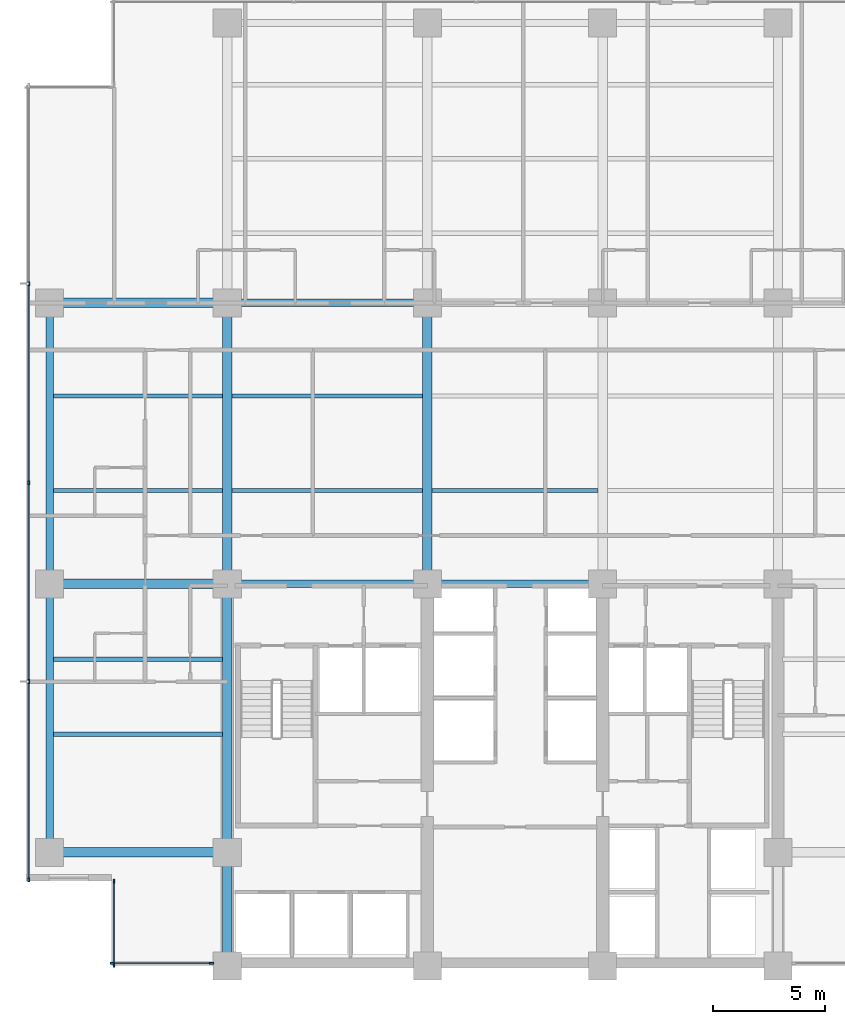
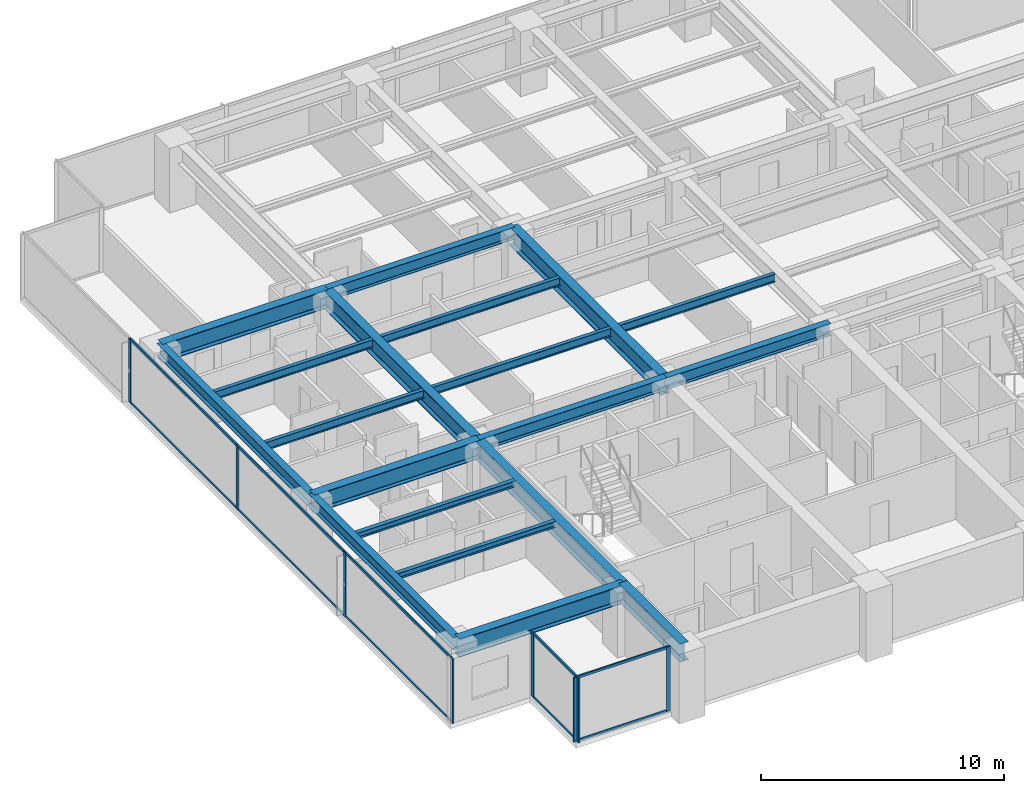
# One storey, part 2 of 17: 19 beams, 18 members, 3 elements without a shape of their own.
"""IFC4 building model written with IfcOpenShell, lengths in metres."""

from ifc_helpers import new_model, si_unit, direction, frame, origin, origin_2d, place, context, subcontext, project, spatial, rectangle, i_section, extrude, material, layer, layer_set, material_profile, profile_set, type_object, element, aggregate, save


model = new_model("IFC4")

# Units and contexts
model_context = context("Model", 3, precision=1e-05, world=origin(), true_north=direction((0.0, 1.0)))
body_context = subcontext(model_context, "Body", "Model", "MODEL_VIEW")
ifc_project = project(units=[si_unit("LENGTHUNIT", "METRE"), si_unit("AREAUNIT", "SQUARE_METRE"), si_unit("VOLUMEUNIT", "CUBIC_METRE"), si_unit("PLANEANGLEUNIT", "RADIAN"), si_unit("MASSUNIT", "GRAM", prefix="KILO")], contexts=[model_context])

# Site, building, storey
site_placement = place(None, origin())
site = spatial("IfcSite", under=ifc_project, at=site_placement, CompositionType="ELEMENT")
building_placement = place(site_placement, origin())
building = spatial("IfcBuilding", under=site, at=building_placement, Name="Qalmaran Belvedere Hotel", CompositionType="ELEMENT")
storey_placement = place(building_placement, frame((0.0, 0.0, 102.199951171875)))
storey = spatial("IfcBuildingStorey", under=building, at=storey_placement, Name="L25", CompositionType="ELEMENT", Elevation=102.199951171875)

# Beams
ifc_material_1 = material(Name="Steel S355JR", Category="steel")
ifc_material_profile_1 = material_profile(ifc_material_1, i_section(OverallWidth=0.202880859375, OverallDepth=0.302978515625, WebThickness=0.007568359375, FlangeThickness=0.01318359375, FilletRadius=0.012939453125, at=origin_2d()), Name="W310X60")
ifc_profile_set_1 = profile_set([ifc_material_profile_1], Name="Steel S355JR")
beam_type_1 = type_object("IfcBeamType", Name="BM-JST-W310X60", PredefinedType="JOIST", material=ifc_profile_set_1)
for number, where, z_axis, x_axis, name in (
    (1, (12.5615234375, 13.800048828125, 3.088623046875), (1.0, 0.0, 0.0), (0.0, 1.0, 0.0), "L25 West Wing Joist 038"),
    (2, (12.5615234375, 17.14990234375, 3.088623046875), (1.0, 0.0, 0.0), (0.0, 1.0, 0.0), "L25 West Wing Joist 040"),
):
    element("IfcBeam", number, at=place(storey_placement, frame(where, z_axis=z_axis, x_axis=x_axis)), inside=storey, type_object=beam_type_1, Name=name, PredefinedType="JOIST", context=body_context, shape_type="SweptSolid", body=[
        extrude(i_section(OverallWidth=0.202880859375, OverallDepth=0.302978515625, WebThickness=0.007568359375, FlangeThickness=0.01318359375, FilletRadius=0.012939453125, at=origin_2d()), origin(), (0.0, 0.0, 1.0), 7.531494140625),
    ])
ifc_material_profile_2 = material_profile(ifc_material_1, i_section(OverallWidth=0.41796875, OverallDepth=0.912109375, WebThickness=0.019287109375, FlangeThickness=0.031982421875, FilletRadius=0.02392578125, at=origin_2d()), Name="W920X342")
ifc_profile_set_2 = profile_set([ifc_material_profile_2], Name="Steel S355JR")
beam_type_2 = type_object("IfcBeamType", Name="BM-PG2-W920X342", PredefinedType="USERDEFINED", material=ifc_profile_set_2)
for number, where, z_axis, x_axis, name in (
    (3, (20.300048828125, 20.5, 2.783935546875), (0.0, 1.0, 0.0), (-1.0, 0.0, 0.0), "L25 Mid-Plate N-S Girder 14"),
    (4, (29.199951171875, 20.5, 2.783935546875), (0.0, 1.0, 0.0), (-1.0, 0.0, 0.0), "L25 Mid-Plate N-S Girder 16"),
):
    element("IfcBeam", number, at=place(storey_placement, frame(where, z_axis=z_axis, x_axis=x_axis)), inside=storey, type_object=beam_type_2, Name=name, ObjectType="GIRDER", PredefinedType="USERDEFINED", context=body_context, shape_type="SweptSolid", body=[
        extrude(i_section(OverallWidth=0.41796875, OverallDepth=0.912109375, WebThickness=0.019287109375, FlangeThickness=0.031982421875, FilletRadius=0.02392578125, at=origin_2d()), origin(), (0.0, 0.0, 1.0), 12.5),
    ])
for number, where, z_axis, x_axis, name in (
    (5, (12.39990234375, 8.550048828125, 2.783935546875), (1.0, 0.0, 0.0), (0.0, 1.0, 0.0), "L25 West Wing Girder 22"),
    (6, (12.39990234375, 20.5, 2.783935546875), (1.0, 0.0, 0.0), (0.0, 1.0, 0.0), "L25 West Wing Girder 23"),
    (7, (12.39990234375, 33.0, 2.783935546875), (1.0, 0.0, 0.0), (0.0, 1.0, 0.0), "L25 West Wing Girder 24"),
):
    element("IfcBeam", number, at=place(storey_placement, frame(where, z_axis=z_axis, x_axis=x_axis)), inside=storey, type_object=beam_type_2, Name=name, ObjectType="GIRDER", PredefinedType="USERDEFINED", context=body_context, shape_type="SweptSolid", body=[
        extrude(i_section(OverallWidth=0.41796875, OverallDepth=0.912109375, WebThickness=0.019287109375, FlangeThickness=0.031982421875, FilletRadius=0.02392578125, at=origin_2d()), origin(), (0.0, 0.0, 1.0), 7.900146484375),
    ])
beam_1_placement = place(storey_placement, frame((20.300048828125, 3.5, 2.783935546875), z_axis=(0.0, 1.0, 0.0), x_axis=(-1.0, 0.0, 0.0)))
element("IfcBeam", 8, at=beam_1_placement, inside=storey, type_object=beam_type_2, Name="L25 West Core Edge Girder A", ObjectType="GIRDER", PredefinedType="USERDEFINED", context=body_context, shape_type="SweptSolid", body=[
    extrude(i_section(OverallWidth=0.41796875, OverallDepth=0.912109375, WebThickness=0.019287109375, FlangeThickness=0.031982421875, FilletRadius=0.02392578125, at=origin_2d()), origin(), (0.0, 0.0, 1.0), 5.050048828125),
])
beam_2_placement = place(storey_placement, frame((20.300048828125, 8.550048828125, 2.783935546875), z_axis=(0.0, 1.0, 0.0), x_axis=(-1.0, 0.0, 0.0)))
element("IfcBeam", 9, at=beam_2_placement, inside=storey, type_object=beam_type_2, Name="L25 West Core Edge Girder B", ObjectType="GIRDER", PredefinedType="USERDEFINED", context=body_context, shape_type="SweptSolid", body=[
    extrude(i_section(OverallWidth=0.41796875, OverallDepth=0.912109375, WebThickness=0.019287109375, FlangeThickness=0.031982421875, FilletRadius=0.02392578125, at=origin_2d()), origin(), (0.0, 0.0, 1.0), 11.949951171875),
])
ifc_material_profile_3 = material_profile(ifc_material_1, i_section(OverallWidth=0.177978515625, OverallDepth=0.406982421875, WebThickness=0.0078125, FlangeThickness=0.0126953125, FilletRadius=0.014892578125, at=origin_2d()), Name="W410X60")
ifc_profile_set_3 = profile_set([ifc_material_profile_3], Name="Steel S355JR")
beam_type_3 = type_object("IfcBeamType", Name="BM-SB2-W410X60", PredefinedType="BEAM", material=ifc_profile_set_3)
beam_3_placement = place(storey_placement, frame((12.5615234375, 24.64990234375, 3.03662109375), z_axis=(1.0, 0.0, 0.0), x_axis=(0.0, 1.0, 0.0)))
element("IfcBeam", 10, at=beam_3_placement, inside=storey, type_object=beam_type_3, Name="L25 West Secondary Beam 028", PredefinedType="BEAM", context=body_context, shape_type="SweptSolid", body=[
    extrude(i_section(OverallWidth=0.177978515625, OverallDepth=0.406982421875, WebThickness=0.0078125, FlangeThickness=0.0126953125, FilletRadius=0.014892578125, at=origin_2d()), origin(), (0.0, 0.0, 1.0), 7.531494140625),
])
beam_4_placement = place(storey_placement, frame((20.507080078125, 24.64990234375, 3.03662109375), z_axis=(1.0, 0.0, 0.0), x_axis=(0.0, 1.0, 0.0)))
element("IfcBeam", 11, at=beam_4_placement, inside=storey, type_object=beam_type_3, Name="L25 Secondary Floor Beam 029", PredefinedType="BEAM", context=body_context, shape_type="SweptSolid", body=[
    extrude(i_section(OverallWidth=0.177978515625, OverallDepth=0.406982421875, WebThickness=0.0078125, FlangeThickness=0.0126953125, FilletRadius=0.014892578125, at=origin_2d()), origin(), (0.0, 0.0, 1.0), 8.48583984375),
])
beam_5_placement = place(storey_placement, frame((29.406982421875, 24.64990234375, 3.03662109375), z_axis=(1.0, 0.0, 0.0), x_axis=(0.0, 1.0, 0.0)))
element("IfcBeam", 12, at=beam_5_placement, inside=storey, type_object=beam_type_3, Name="L25 Secondary Floor Beam 030", PredefinedType="BEAM", context=body_context, shape_type="SweptSolid", body=[
    extrude(i_section(OverallWidth=0.177978515625, OverallDepth=0.406982421875, WebThickness=0.0078125, FlangeThickness=0.0126953125, FilletRadius=0.014892578125, at=origin_2d()), origin(), (0.0, 0.0, 1.0), 7.385986328125),
])
beam_6_placement = place(storey_placement, frame((12.5615234375, 28.85009765625, 3.03662109375), z_axis=(1.0, 0.0, 0.0), x_axis=(0.0, 1.0, 0.0)))
element("IfcBeam", 13, at=beam_6_placement, inside=storey, type_object=beam_type_3, Name="L25 West Secondary Beam 033", PredefinedType="BEAM", context=body_context, shape_type="SweptSolid", body=[
    extrude(i_section(OverallWidth=0.177978515625, OverallDepth=0.406982421875, WebThickness=0.0078125, FlangeThickness=0.0126953125, FilletRadius=0.014892578125, at=origin_2d()), origin(), (0.0, 0.0, 1.0), 7.531494140625),
])
beam_7_placement = place(storey_placement, frame((20.507080078125, 28.85009765625, 3.03662109375), z_axis=(1.0, 0.0, 0.0), x_axis=(0.0, 1.0, 0.0)))
element("IfcBeam", 14, at=beam_7_placement, inside=storey, type_object=beam_type_3, Name="L25 Secondary Floor Beam 034", PredefinedType="BEAM", context=body_context, shape_type="SweptSolid", body=[
    extrude(i_section(OverallWidth=0.177978515625, OverallDepth=0.406982421875, WebThickness=0.0078125, FlangeThickness=0.0126953125, FilletRadius=0.014892578125, at=origin_2d()), origin(), (0.0, 0.0, 1.0), 8.48583984375),
])
ifc_material_profile_4 = material_profile(ifc_material_1, i_section(OverallWidth=0.326904296875, OverallDepth=0.6220703125, WebThickness=0.015380859375, FlangeThickness=0.0244140625, FilletRadius=0.02001953125, at=origin_2d()), Name="W610X195")
ifc_profile_set_4 = profile_set([ifc_material_profile_4], Name="Steel S355JR")
beam_type_4 = type_object("IfcBeamType", Name="BM-SP1-W610X195", PredefinedType="SPANDREL", material=ifc_profile_set_4)
beam_8_placement = place(storey_placement, frame((12.39990234375, 8.550048828125, 2.928955078125), z_axis=(0.0, 1.0, 0.0), x_axis=(-1.0, 0.0, 0.0)))
element("IfcBeam", 15, at=beam_8_placement, inside=storey, type_object=beam_type_4, Name="L25 Perimeter Spandrel 01", PredefinedType="SPANDREL", context=body_context, shape_type="SweptSolid", body=[
    extrude(i_section(OverallWidth=0.326904296875, OverallDepth=0.6220703125, WebThickness=0.015380859375, FlangeThickness=0.0244140625, FilletRadius=0.02001953125, at=origin_2d()), origin(), (0.0, 0.0, 1.0), 11.949951171875),
])
beam_9_placement = place(storey_placement, frame((12.39990234375, 20.5, 2.928955078125), z_axis=(0.0, 1.0, 0.0), x_axis=(-1.0, 0.0, 0.0)))
element("IfcBeam", 16, at=beam_9_placement, inside=storey, type_object=beam_type_4, Name="L25 Perimeter Spandrel 02", PredefinedType="SPANDREL", context=body_context, shape_type="SweptSolid", body=[
    extrude(i_section(OverallWidth=0.326904296875, OverallDepth=0.6220703125, WebThickness=0.015380859375, FlangeThickness=0.0244140625, FilletRadius=0.02001953125, at=origin_2d()), origin(), (0.0, 0.0, 1.0), 12.5),
])
ifc_material_profile_5 = material_profile(ifc_material_1, i_section(OverallWidth=0.323974609375, OverallDepth=0.611083984375, WebThickness=0.0126953125, FlangeThickness=0.01904296875, FilletRadius=0.02001953125, at=origin_2d()), Name="W610X155")
ifc_profile_set_5 = profile_set([ifc_material_profile_5], Name="Steel S355JR")
beam_type_5 = type_object("IfcBeamType", Name="BM-Z2-W610X155", PredefinedType="USERDEFINED", material=ifc_profile_set_5)
beam_10_placement = place(storey_placement, frame((20.300048828125, 20.5, 2.9345703125), z_axis=(1.0, 0.0, 0.0), x_axis=(0.0, 1.0, 0.0)))
element("IfcBeam", 17, at=beam_10_placement, inside=storey, type_object=beam_type_5, Name="L25 Interior E-W Girder 08", ObjectType="GIRDER", PredefinedType="USERDEFINED", context=body_context, shape_type="SweptSolid", body=[
    extrude(i_section(OverallWidth=0.323974609375, OverallDepth=0.611083984375, WebThickness=0.0126953125, FlangeThickness=0.01904296875, FilletRadius=0.02001953125, at=origin_2d()), origin(), (0.0, 0.0, 1.0), 8.89990234375),
])
beam_11_placement = place(storey_placement, frame((29.199951171875, 20.5, 2.9345703125), z_axis=(1.0, 0.0, 0.0), x_axis=(0.0, 1.0, 0.0)))
element("IfcBeam", 18, at=beam_11_placement, inside=storey, type_object=beam_type_5, Name="L25 Interior E-W Girder 09", ObjectType="GIRDER", PredefinedType="USERDEFINED", context=body_context, shape_type="SweptSolid", body=[
    extrude(i_section(OverallWidth=0.323974609375, OverallDepth=0.611083984375, WebThickness=0.0126953125, FlangeThickness=0.01904296875, FilletRadius=0.02001953125, at=origin_2d()), origin(), (0.0, 0.0, 1.0), 7.800048828125),
])
beam_12_placement = place(storey_placement, frame((20.300048828125, 33.0, 2.9345703125), z_axis=(1.0, 0.0, 0.0), x_axis=(0.0, 1.0, 0.0)))
element("IfcBeam", 19, at=beam_12_placement, inside=storey, type_object=beam_type_5, Name="L25 Interior E-W Girder 11", ObjectType="GIRDER", PredefinedType="USERDEFINED", context=body_context, shape_type="SweptSolid", body=[
    extrude(i_section(OverallWidth=0.323974609375, OverallDepth=0.611083984375, WebThickness=0.0126953125, FlangeThickness=0.01904296875, FilletRadius=0.02001953125, at=origin_2d()), origin(), (0.0, 0.0, 1.0), 8.89990234375),
])

# Curtain wall, members
ifc_material_2 = material(Name="Anodised Bronze Aluminium", Category="aluminium")
ifc_layer = layer(ifc_material_2, 0.199951171875, Name="Anodised Bronze Aluminium")
ifc_layer_set = layer_set([ifc_layer], Name="Anodised Bronze Aluminium")
curtain_wall_type = type_object("IfcCurtainWallType", Name="CW3-TOWER-LOWMID", PredefinedType="NOTDEFINED", material=ifc_layer_set)
curtain_wall_1_placement = place(storey_placement, origin())
curtain_wall_1 = element("IfcCurtainWall", 20, at=curtain_wall_1_placement, inside=storey, type_object=curtain_wall_type, Name="L25 Curtain Wall CW3", PredefinedType="NOTDEFINED")
ifc_material_profile_6 = material_profile(ifc_material_2, rectangle(XDim=0.070068359375, YDim=0.18994140625, at=origin_2d()), Name="CWM70X190")
ifc_profile_set_6 = profile_set([ifc_material_profile_6], Name="Anodised Bronze Aluminium")
member_type_1 = type_object("IfcMemberType", Name="CWM-70X190", PredefinedType="MULLION", material=ifc_profile_set_6)
member_1_placement = place(storey_placement, frame((15.18505859375, 3.6201171875, 0.0), z_axis=(0.0, 0.0, 1.0), x_axis=(0.0, 1.0, 0.0)))
member_1 = element("IfcMember", 21, at=member_1_placement, type_object=member_type_1, Name="CW3 mullion 1", PredefinedType="MULLION", context=body_context, shape_type="SweptSolid", body=[
    extrude(rectangle(XDim=0.070068359375, YDim=0.18994140625, at=origin_2d()), origin(), (0.0, 0.0, 1.0), 3.239990234375),
])
member_2_placement = place(storey_placement, frame((19.60009765625, 3.6201171875, 0.0), z_axis=(0.0, 0.0, 1.0), x_axis=(0.0, 1.0, 0.0)))
member_2 = element("IfcMember", 22, at=member_2_placement, type_object=member_type_1, Name="CW3 mullion 2", PredefinedType="MULLION", context=body_context, shape_type="SweptSolid", body=[
    extrude(rectangle(XDim=0.070068359375, YDim=0.18994140625, at=origin_2d()), origin(), (0.0, 0.0, 1.0), 3.239990234375),
])

curtain_wall_2_placement = place(storey_placement, origin())
curtain_wall_2 = element("IfcCurtainWall", 23, at=curtain_wall_2_placement, inside=storey, type_object=curtain_wall_type, Name="L25 Curtain Wall CW3", PredefinedType="NOTDEFINED")
member_3_placement = place(storey_placement, frame((11.469970703125, 33.85009765625, 0.0), z_axis=(0.0, 0.0, 1.0), x_axis=(1.0, 0.0, 0.0)))
member_3 = element("IfcMember", 24, at=member_3_placement, type_object=member_type_1, Name="CW3 mullion 2", PredefinedType="MULLION", context=body_context, shape_type="SweptSolid", body=[
    extrude(rectangle(XDim=0.070068359375, YDim=0.18994140625, at=origin_2d()), origin(), (0.0, 0.0, 1.0), 3.239990234375),
])
member_4_placement = place(storey_placement, frame((11.469970703125, 25.0, 0.0), z_axis=(0.0, 0.0, 1.0), x_axis=(1.0, 0.0, 0.0)))
member_4 = element("IfcMember", 25, at=member_4_placement, type_object=member_type_1, Name="CW3 mullion 3", PredefinedType="MULLION", context=body_context, shape_type="SweptSolid", body=[
    extrude(rectangle(XDim=0.070068359375, YDim=0.18994140625, at=origin_2d()), origin(), (0.0, 0.0, 1.0), 3.239990234375),
])
member_5_placement = place(storey_placement, frame((11.469970703125, 16.14990234375, 0.0), z_axis=(0.0, 0.0, 1.0), x_axis=(1.0, 0.0, 0.0)))
member_5 = element("IfcMember", 26, at=member_5_placement, type_object=member_type_1, Name="CW3 mullion 4", PredefinedType="MULLION", context=body_context, shape_type="SweptSolid", body=[
    extrude(rectangle(XDim=0.070068359375, YDim=0.18994140625, at=origin_2d()), origin(), (0.0, 0.0, 1.0), 3.239990234375),
])
member_6_placement = place(storey_placement, frame((11.469970703125, 7.3349609375, 0.0), z_axis=(0.0, 0.0, 1.0), x_axis=(1.0, 0.0, 0.0)))
member_6 = element("IfcMember", 27, at=member_6_placement, type_object=member_type_1, Name="CW3 mullion 5", PredefinedType="MULLION", context=body_context, shape_type="SweptSolid", body=[
    extrude(rectangle(XDim=0.070068359375, YDim=0.18994140625, at=origin_2d()), origin(), (0.0, 0.0, 1.0), 3.239990234375),
])

curtain_wall_3_placement = place(storey_placement, origin())
curtain_wall_3 = element("IfcCurtainWall", 28, at=curtain_wall_3_placement, inside=storey, type_object=curtain_wall_type, Name="L25 Curtain Wall CW3", PredefinedType="NOTDEFINED")
member_7_placement = place(storey_placement, frame((15.27001953125, 7.264892578125, 0.0), z_axis=(0.0, 0.0, 1.0), x_axis=(1.0, 0.0, 0.0)))
member_7 = element("IfcMember", 29, at=member_7_placement, type_object=member_type_1, Name="CW3 mullion 1", PredefinedType="MULLION", context=body_context, shape_type="SweptSolid", body=[
    extrude(rectangle(XDim=0.070068359375, YDim=0.18994140625, at=origin_2d()), origin(), (0.0, 0.0, 1.0), 3.239990234375),
])
member_8_placement = place(storey_placement, frame((15.27001953125, 3.534912109375, 0.0), z_axis=(0.0, 0.0, 1.0), x_axis=(1.0, 0.0, 0.0)))
member_8 = element("IfcMember", 30, at=member_8_placement, type_object=member_type_1, Name="CW3 mullion 2", PredefinedType="MULLION", context=body_context, shape_type="SweptSolid", body=[
    extrude(rectangle(XDim=0.070068359375, YDim=0.18994140625, at=origin_2d()), origin(), (0.0, 0.0, 1.0), 3.239990234375),
])

# Member
ifc_material_profile_7 = material_profile(ifc_material_2, rectangle(XDim=0.06494140625, YDim=0.1298828125, at=origin_2d()), Name="CWT65X130")
ifc_profile_set_7 = profile_set([ifc_material_profile_7], Name="Anodised Bronze Aluminium")
member_type_2 = type_object("IfcMemberType", Name="CWT-65X130", PredefinedType="USERDEFINED", material=ifc_profile_set_7)
member_9_placement = place(storey_placement, frame((15.219970703125, 3.6201171875, 0.032470703125), z_axis=(1.0, 0.0, 0.0), x_axis=(0.0, 1.0, 0.0)))
member_9 = element("IfcMember", 31, at=member_9_placement, type_object=member_type_2, Name="CW3 transom 1.1", ObjectType="TRANSOM", PredefinedType="USERDEFINED", context=body_context, shape_type="SweptSolid", body=[
    extrude(rectangle(XDim=0.06494140625, YDim=0.1298828125, at=origin_2d()), origin(), (0.0, 0.0, 1.0), 4.344970703125),
])

member_10_placement = place(storey_placement, frame((15.219970703125, 3.6201171875, 3.20751953125), z_axis=(1.0, 0.0, 0.0), x_axis=(0.0, 1.0, 0.0)))
member_10 = element("IfcMember", 32, at=member_10_placement, type_object=member_type_2, Name="CW3 transom 1.2", ObjectType="TRANSOM", PredefinedType="USERDEFINED", context=body_context, shape_type="SweptSolid", body=[
    extrude(rectangle(XDim=0.06494140625, YDim=0.1298828125, at=origin_2d()), origin(), (0.0, 0.0, 1.0), 4.344970703125),
])

aggregate(curtain_wall_1, [member_1, member_2, member_9, member_10])

member_11_placement = place(storey_placement, frame((11.469970703125, 33.81494140625, 0.032470703125), z_axis=(0.0, -1.0, 0.0), x_axis=(1.0, 0.0, 0.0)))
member_11 = element("IfcMember", 33, at=member_11_placement, type_object=member_type_2, Name="CW3 transom 2.1", ObjectType="TRANSOM", PredefinedType="USERDEFINED", context=body_context, shape_type="SweptSolid", body=[
    extrude(rectangle(XDim=0.06494140625, YDim=0.1298828125, at=origin_2d()), origin(), (0.0, 0.0, 1.0), 8.780029296875),
])

member_12_placement = place(storey_placement, frame((11.469970703125, 33.81494140625, 3.20751953125), z_axis=(0.0, -1.0, 0.0), x_axis=(1.0, 0.0, 0.0)))
member_12 = element("IfcMember", 34, at=member_12_placement, type_object=member_type_2, Name="CW3 transom 2.2", ObjectType="TRANSOM", PredefinedType="USERDEFINED", context=body_context, shape_type="SweptSolid", body=[
    extrude(rectangle(XDim=0.06494140625, YDim=0.1298828125, at=origin_2d()), origin(), (0.0, 0.0, 1.0), 8.780029296875),
])

member_13_placement = place(storey_placement, frame((11.469970703125, 24.965087890625, 0.032470703125), z_axis=(0.0, -1.0, 0.0), x_axis=(1.0, 0.0, 0.0)))
member_13 = element("IfcMember", 35, at=member_13_placement, type_object=member_type_2, Name="CW3 transom 3.1", ObjectType="TRANSOM", PredefinedType="USERDEFINED", context=body_context, shape_type="SweptSolid", body=[
    extrude(rectangle(XDim=0.06494140625, YDim=0.1298828125, at=origin_2d()), origin(), (0.0, 0.0, 1.0), 8.780029296875),
])

member_14_placement = place(storey_placement, frame((11.469970703125, 24.965087890625, 3.20751953125), z_axis=(0.0, -1.0, 0.0), x_axis=(1.0, 0.0, 0.0)))
member_14 = element("IfcMember", 36, at=member_14_placement, type_object=member_type_2, Name="CW3 transom 3.2", ObjectType="TRANSOM", PredefinedType="USERDEFINED", context=body_context, shape_type="SweptSolid", body=[
    extrude(rectangle(XDim=0.06494140625, YDim=0.1298828125, at=origin_2d()), origin(), (0.0, 0.0, 1.0), 8.780029296875),
])

member_15_placement = place(storey_placement, frame((11.469970703125, 16.114990234375, 0.032470703125), z_axis=(0.0, -1.0, 0.0), x_axis=(1.0, 0.0, 0.0)))
member_15 = element("IfcMember", 37, at=member_15_placement, type_object=member_type_2, Name="CW3 transom 4.1", ObjectType="TRANSOM", PredefinedType="USERDEFINED", context=body_context, shape_type="SweptSolid", body=[
    extrude(rectangle(XDim=0.06494140625, YDim=0.1298828125, at=origin_2d()), origin(), (0.0, 0.0, 1.0), 8.744873046875),
])

member_16_placement = place(storey_placement, frame((11.469970703125, 16.114990234375, 3.20751953125), z_axis=(0.0, -1.0, 0.0), x_axis=(1.0, 0.0, 0.0)))
member_16 = element("IfcMember", 38, at=member_16_placement, type_object=member_type_2, Name="CW3 transom 4.2", ObjectType="TRANSOM", PredefinedType="USERDEFINED", context=body_context, shape_type="SweptSolid", body=[
    extrude(rectangle(XDim=0.06494140625, YDim=0.1298828125, at=origin_2d()), origin(), (0.0, 0.0, 1.0), 8.744873046875),
])

aggregate(curtain_wall_2, [member_3, member_4, member_5, member_6, member_11, member_12, member_13, member_14, member_15, member_16])

member_17_placement = place(storey_placement, frame((15.27001953125, 7.22998046875, 0.032470703125), z_axis=(0.0, -1.0, 0.0), x_axis=(1.0, 0.0, 0.0)))
member_17 = element("IfcMember", 39, at=member_17_placement, type_object=member_type_2, Name="CW3 transom 1.1", ObjectType="TRANSOM", PredefinedType="USERDEFINED", context=body_context, shape_type="SweptSolid", body=[
    extrude(rectangle(XDim=0.06494140625, YDim=0.1298828125, at=origin_2d()), origin(), (0.0, 0.0, 1.0), 3.659912109375),
])

member_18_placement = place(storey_placement, frame((15.27001953125, 7.22998046875, 3.20751953125), z_axis=(0.0, -1.0, 0.0), x_axis=(1.0, 0.0, 0.0)))
member_18 = element("IfcMember", 40, at=member_18_placement, type_object=member_type_2, Name="CW3 transom 1.2", ObjectType="TRANSOM", PredefinedType="USERDEFINED", context=body_context, shape_type="SweptSolid", body=[
    extrude(rectangle(XDim=0.06494140625, YDim=0.1298828125, at=origin_2d()), origin(), (0.0, 0.0, 1.0), 3.659912109375),
])

aggregate(curtain_wall_3, [member_7, member_8, member_17, member_18])

save(model, "model.ifc")
